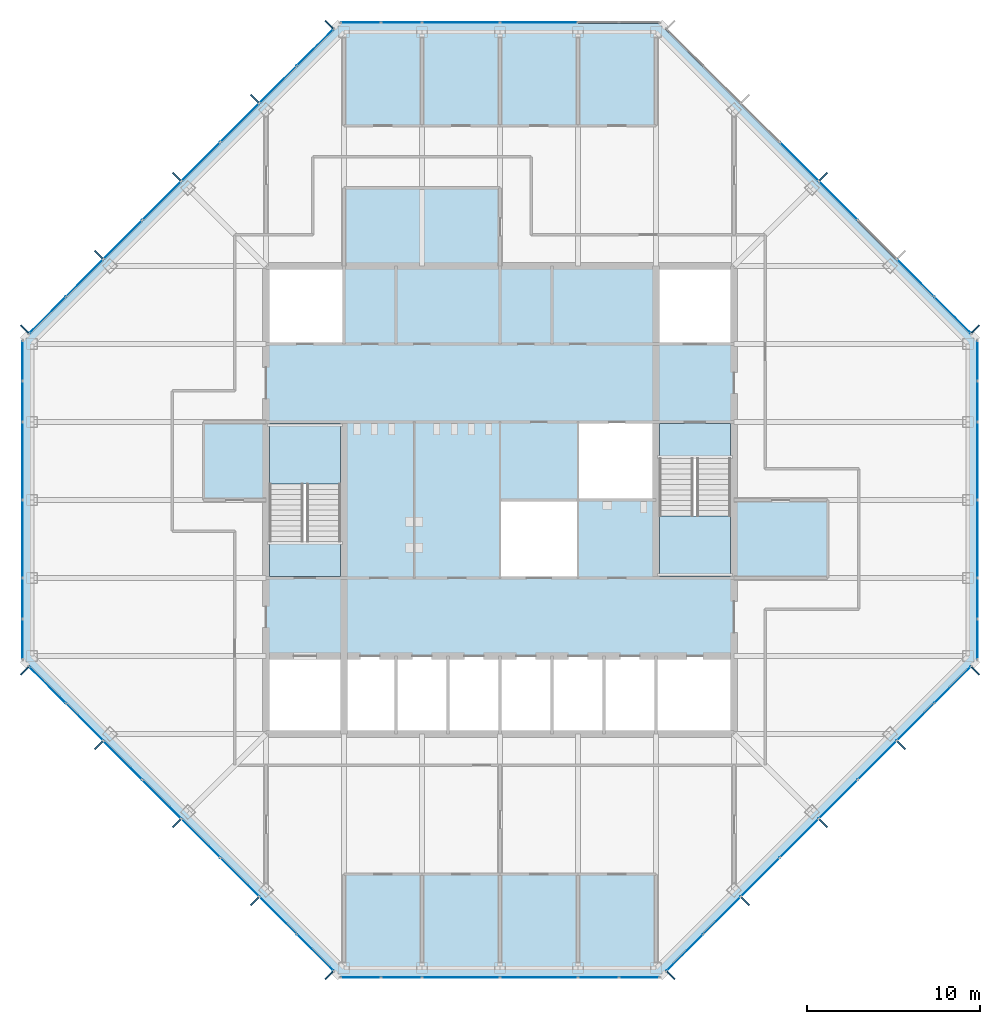
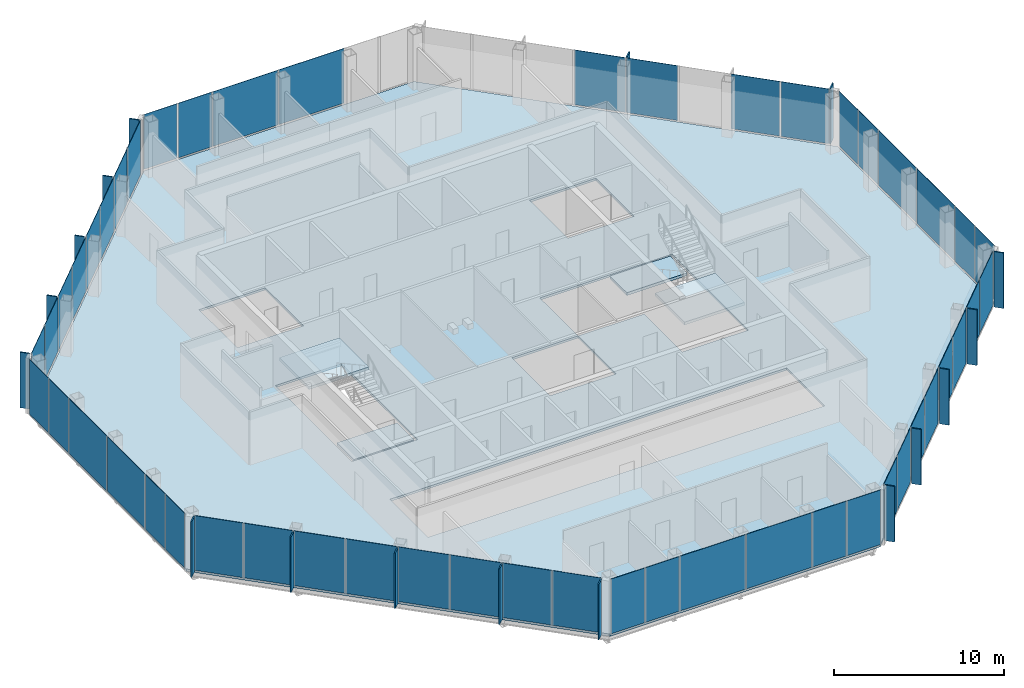
# One storey, part 8 of 14: 67 plates, 5 slabs, 10 elements without a shape of their own.
"""IFC4 building model written with IfcOpenShell, lengths in metres."""

from ifc_helpers import new_model, si_unit, direction, frame, origin, origin_2d, place, context, subcontext, project, spatial, polyline, rectangle, outline, extrude, material, layer, layer_set, type_object, element, aggregate, save


model = new_model("IFC4")

# Units and contexts
model_context = context("Model", 3, precision=1e-05, world=origin(), true_north=direction((0.0, 1.0)))
body_context = subcontext(model_context, "Body", "Model", "MODEL_VIEW")
ifc_project = project(units=[si_unit("LENGTHUNIT", "METRE"), si_unit("AREAUNIT", "SQUARE_METRE"), si_unit("VOLUMEUNIT", "CUBIC_METRE"), si_unit("PLANEANGLEUNIT", "RADIAN"), si_unit("MASSUNIT", "GRAM", prefix="KILO")], contexts=[model_context])

# Site, building, storey
site_placement = place(None, origin())
site = spatial("IfcSite", under=ifc_project, at=site_placement, CompositionType="ELEMENT")
building_placement = place(site_placement, origin())
building = spatial("IfcBuilding", under=site, at=building_placement, Name="Corais Broadcast Tower", CompositionType="ELEMENT")
storey_placement = place(building_placement, frame((0.0, 0.0, 250.60009765625)))
storey = spatial("IfcBuildingStorey", under=building, at=storey_placement, Name="L58", CompositionType="ELEMENT", Elevation=250.60009765625)

# Slab
ifc_material_1 = material(Name="Concrete C30/37", Category="concrete")
ifc_layer_1 = layer(ifc_material_1, 0.159912109375)
ifc_layer_set_1 = layer_set([ifc_layer_1], Name="Concrete C30/37")
slab_type_1 = type_object("IfcSlabType", Name="Composite floor slab 160", PredefinedType="FLOOR", material=ifc_layer_set_1)
slab_1_placement = place(storey_placement, frame((0.0, 0.0, -0.16015625)))
element("IfcSlab", 1, at=slab_1_placement, inside=storey, type_object=slab_type_1, Name="S160 floor slab L58", PredefinedType="FLOOR", context=body_context, shape_type="SweptSolid", body=[
    extrude(outline(polyline([(17.80126953125, -0.47998046875), (-0.47998046875, 17.80126953125), (-0.47998046875, 36.19873046875), (17.80126953125, 54.47998046875), (36.19873046875, 54.47998046875), (54.47998046875, 36.19873046875), (54.47998046875, 17.80126953125), (36.19873046875, -0.47998046875), (17.80126953125, -0.47998046875)]), holes=[polyline([(13.5, 18.0), (40.5, 18.0), (40.5, 13.5), (13.5, 13.5), (13.5, 18.0)]), polyline([(18.0, 22.5), (13.5, 22.5), (13.5, 31.5), (18.0, 31.5), (18.0, 22.5)]), polyline([(18.0, 36.0), (13.5, 36.0), (13.5, 40.5), (18.0, 40.5), (18.0, 36.0)]), polyline([(31.5, 22.5), (27.0, 22.5), (27.0, 27.0), (31.4951171875, 27.0), (31.4951171875, 27.0048828125), (31.5, 27.0048828125), (31.5, 31.5), (40.5, 31.5), (40.5, 22.5), (36.0, 22.5), (36.0, 27.0), (31.5048828125, 27.0), (31.5048828125, 26.9951171875), (31.5, 26.9951171875), (31.5, 22.5)]), polyline([(40.5, 36.0), (36.0, 36.0), (36.0, 40.5), (40.5, 40.5), (40.5, 36.0)])]), origin(), (0.0, 0.0, 1.0), 0.16015625),
])

# Curtain wall, plates
ifc_material_2 = material(Name="Aluminium and glass", Category="aluminium")
curtain_wall_type = type_object("IfcCurtainWallType", Name="Unitised fritted curtain wall CW3", PredefinedType="NOTDEFINED", material=ifc_material_2)
curtain_wall_1_placement = place(storey_placement, origin())
curtain_wall_1 = element("IfcCurtainWall", 2, at=curtain_wall_1_placement, inside=storey, type_object=curtain_wall_type, Name="CW3 curtain wall L58 1", PredefinedType="NOTDEFINED")
ifc_material_3 = material(Name="Ceramic-fritted laminated glass", Category="glass")
ifc_layer_2 = layer(ifc_material_3, 0.02587890625)
ifc_layer_set_2 = layer_set([ifc_layer_2], Name="Ceramic-fritted laminated glass")
plate_type_1 = type_object("IfcPlateType", Name="Fritted glass panel CW3", PredefinedType="CURTAIN_PANEL", material=ifc_layer_set_2)
plate_1_placement = place(storey_placement, frame((16.330322265625, 0.891845703125, 0.06494140625), z_axis=(0.0, 0.0, 1.0), x_axis=(-0.707106781187, 0.707106781187, 0.0)))
plate_1 = element("IfcPlate", 3, at=plate_1_placement, type_object=plate_type_1, Name="CW3 panel 1", PredefinedType="CURTAIN_PANEL", context=body_context, shape_type="SweptSolid", body=[
    extrude(rectangle(XDim=2.9482421875, YDim=0.02587890625, at=origin_2d()), origin(), (0.0, 0.0, 1.0), 3.93505859375),
])
plate_2_placement = place(storey_placement, frame((11.986083984375, 5.236083984375, 0.06494140625), z_axis=(0.0, 0.0, 1.0), x_axis=(-0.707106781187, 0.707106781187, 0.0)))
plate_2 = element("IfcPlate", 4, at=plate_2_placement, type_object=plate_type_1, Name="CW3 panel 3", PredefinedType="CURTAIN_PANEL", context=body_context, shape_type="SweptSolid", body=[
    extrude(rectangle(XDim=3.116943359375, YDim=0.02587890625, at=origin_2d()), origin(), (0.0, 0.0, 1.0), 3.93505859375),
])
plate_3_placement = place(storey_placement, frame((7.486083984375, 9.736083984375, 0.06494140625), z_axis=(0.0, 0.0, 1.0), x_axis=(-0.707106781187, 0.707106781187, 0.0)))
plate_3 = element("IfcPlate", 5, at=plate_3_placement, type_object=plate_type_1, Name="CW3 panel 5", PredefinedType="CURTAIN_PANEL", context=body_context, shape_type="SweptSolid", body=[
    extrude(rectangle(XDim=3.116943359375, YDim=0.02587890625, at=origin_2d()), origin(), (0.0, 0.0, 1.0), 3.93505859375),
])
plate_4_placement = place(storey_placement, frame((3.0341796875, 14.18798828125, 0.06494140625), z_axis=(0.0, 0.0, 1.0), x_axis=(-0.707106781187, 0.707106781187, 0.0)))
plate_4 = element("IfcPlate", 6, at=plate_4_placement, type_object=plate_type_1, Name="CW3 panel 7", PredefinedType="CURTAIN_PANEL", context=body_context, shape_type="SweptSolid", body=[
    extrude(rectangle(XDim=2.98095703125, YDim=0.02587890625, at=origin_2d()), origin(), (0.0, 0.0, 1.0), 3.93505859375),
])

curtain_wall_2_placement = place(storey_placement, origin())
curtain_wall_2 = element("IfcCurtainWall", 7, at=curtain_wall_2_placement, inside=storey, type_object=curtain_wall_type, Name="CW3 curtain wall L58 2", PredefinedType="NOTDEFINED")
plate_5_placement = place(storey_placement, frame((-0.550048828125, 18.970458984375, 0.06494140625), z_axis=(0.0, 0.0, 1.0), x_axis=(0.0, 1.0, 0.0)))
plate_5 = element("IfcPlate", 8, at=plate_5_placement, type_object=plate_type_1, Name="CW3 panel 1", PredefinedType="CURTAIN_PANEL", context=body_context, shape_type="SweptSolid", body=[
    extrude(rectangle(XDim=2.266357421875, YDim=0.02587890625, at=origin_2d()), origin(), (0.0, 0.0, 1.0), 3.93505859375),
])
plate_6_placement = place(storey_placement, frame((-0.550048828125, 24.75, 0.06494140625), z_axis=(0.0, 0.0, 1.0), x_axis=(0.0, 1.0, 0.0)))
plate_6 = element("IfcPlate", 9, at=plate_6_placement, type_object=plate_type_1, Name="CW3 panel 3", PredefinedType="CURTAIN_PANEL", context=body_context, shape_type="SweptSolid", body=[
    extrude(rectangle(XDim=4.43505859375, YDim=0.02587890625, at=origin_2d()), origin(), (0.0, 0.0, 1.0), 3.93505859375),
])
plate_7_placement = place(storey_placement, frame((-0.550048828125, 32.681884765625, 0.06494140625), z_axis=(0.0, 0.0, 1.0), x_axis=(0.0, 1.0, 0.0)))
plate_7 = element("IfcPlate", 10, at=plate_7_placement, type_object=plate_type_1, Name="CW3 panel 5", PredefinedType="CURTAIN_PANEL", context=body_context, shape_type="SweptSolid", body=[
    extrude(rectangle(XDim=2.298828125, YDim=0.02587890625, at=origin_2d()), origin(), (0.0, 0.0, 1.0), 3.93505859375),
])

curtain_wall_3_placement = place(storey_placement, origin())
curtain_wall_3 = element("IfcCurtainWall", 11, at=curtain_wall_3_placement, inside=storey, type_object=curtain_wall_type, Name="CW3 curtain wall L58 3", PredefinedType="NOTDEFINED")
plate_8_placement = place(storey_placement, frame((0.891845703125, 37.669677734375, 0.06494140625), z_axis=(0.0, 0.0, 1.0), x_axis=(0.707106781187, 0.707106781187, 0.0)))
plate_8 = element("IfcPlate", 12, at=plate_8_placement, type_object=plate_type_1, Name="CW3 panel 1", PredefinedType="CURTAIN_PANEL", context=body_context, shape_type="SweptSolid", body=[
    extrude(rectangle(XDim=2.9482421875, YDim=0.02587890625, at=origin_2d()), origin(), (0.0, 0.0, 1.0), 3.93505859375),
])
plate_9_placement = place(storey_placement, frame((5.236083984375, 42.013916015625, 0.06494140625), z_axis=(0.0, 0.0, 1.0), x_axis=(0.707106781187, 0.707106781187, 0.0)))
plate_9 = element("IfcPlate", 13, at=plate_9_placement, type_object=plate_type_1, Name="CW3 panel 3", PredefinedType="CURTAIN_PANEL", context=body_context, shape_type="SweptSolid", body=[
    extrude(rectangle(XDim=3.116943359375, YDim=0.02587890625, at=origin_2d()), origin(), (0.0, 0.0, 1.0), 3.93505859375),
])
plate_10_placement = place(storey_placement, frame((9.736083984375, 46.513916015625, 0.06494140625), z_axis=(0.0, 0.0, 1.0), x_axis=(0.707106781187, 0.707106781187, 0.0)))
plate_10 = element("IfcPlate", 14, at=plate_10_placement, type_object=plate_type_1, Name="CW3 panel 5", PredefinedType="CURTAIN_PANEL", context=body_context, shape_type="SweptSolid", body=[
    extrude(rectangle(XDim=3.116943359375, YDim=0.02587890625, at=origin_2d()), origin(), (0.0, 0.0, 1.0), 3.93505859375),
])
plate_11_placement = place(storey_placement, frame((14.18798828125, 50.9658203125, 0.06494140625), z_axis=(0.0, 0.0, 1.0), x_axis=(0.707106781187, 0.707106781187, 0.0)))
plate_11 = element("IfcPlate", 15, at=plate_11_placement, type_object=plate_type_1, Name="CW3 panel 7", PredefinedType="CURTAIN_PANEL", context=body_context, shape_type="SweptSolid", body=[
    extrude(rectangle(XDim=2.98095703125, YDim=0.02587890625, at=origin_2d()), origin(), (0.0, 0.0, 1.0), 3.93505859375),
])

curtain_wall_4_placement = place(storey_placement, origin())
curtain_wall_4 = element("IfcCurtainWall", 16, at=curtain_wall_4_placement, inside=storey, type_object=curtain_wall_type, Name="CW3 curtain wall L58 4", PredefinedType="NOTDEFINED")
plate_12_placement = place(storey_placement, frame((18.970458984375, 54.550048828125, 0.06494140625), z_axis=(0.0, 0.0, 1.0), x_axis=(1.0, 0.0, 0.0)))
plate_12 = element("IfcPlate", 17, at=plate_12_placement, type_object=plate_type_1, Name="CW3 panel 1", PredefinedType="CURTAIN_PANEL", context=body_context, shape_type="SweptSolid", body=[
    extrude(rectangle(XDim=2.266357421875, YDim=0.02587890625, at=origin_2d()), origin(), (0.0, 0.0, 1.0), 3.93505859375),
])
plate_13_placement = place(storey_placement, frame((24.75, 54.550048828125, 0.06494140625), z_axis=(0.0, 0.0, 1.0), x_axis=(1.0, 0.0, 0.0)))
plate_13 = element("IfcPlate", 18, at=plate_13_placement, type_object=plate_type_1, Name="CW3 panel 3", PredefinedType="CURTAIN_PANEL", context=body_context, shape_type="SweptSolid", body=[
    extrude(rectangle(XDim=4.43505859375, YDim=0.02587890625, at=origin_2d()), origin(), (0.0, 0.0, 1.0), 3.93505859375),
])

curtain_wall_5_placement = place(storey_placement, origin())
curtain_wall_5 = element("IfcCurtainWall", 19, at=curtain_wall_5_placement, inside=storey, type_object=curtain_wall_type, Name="CW3 curtain wall L58 5", PredefinedType="NOTDEFINED")
plate_14_placement = place(storey_placement, frame((46.513916015625, 44.263916015625, 0.06494140625), z_axis=(0.0, 0.0, 1.0), x_axis=(0.707106781187, -0.707106781187, 0.0)))
plate_14 = element("IfcPlate", 20, at=plate_14_placement, type_object=plate_type_1, Name="CW3 panel 5", PredefinedType="CURTAIN_PANEL", context=body_context, shape_type="SweptSolid", body=[
    extrude(rectangle(XDim=3.116943359375, YDim=0.02587890625, at=origin_2d()), origin(), (0.0, 0.0, 1.0), 3.93505859375),
])
plate_15_placement = place(storey_placement, frame((50.9658203125, 39.81201171875, 0.06494140625), z_axis=(0.0, 0.0, 1.0), x_axis=(0.707106781187, -0.707106781187, 0.0)))
plate_15 = element("IfcPlate", 21, at=plate_15_placement, type_object=plate_type_1, Name="CW3 panel 7", PredefinedType="CURTAIN_PANEL", context=body_context, shape_type="SweptSolid", body=[
    extrude(rectangle(XDim=2.98095703125, YDim=0.02587890625, at=origin_2d()), origin(), (0.0, 0.0, 1.0), 3.93505859375),
])

curtain_wall_6_placement = place(storey_placement, origin())
curtain_wall_6 = element("IfcCurtainWall", 22, at=curtain_wall_6_placement, inside=storey, type_object=curtain_wall_type, Name="CW3 curtain wall L58 6", PredefinedType="NOTDEFINED")
plate_16_placement = place(storey_placement, frame((54.550048828125, 35.029541015625, 0.06494140625), z_axis=(0.0, 0.0, 1.0), x_axis=(0.0, -1.0, 0.0)))
plate_16 = element("IfcPlate", 23, at=plate_16_placement, type_object=plate_type_1, Name="CW3 panel 1", PredefinedType="CURTAIN_PANEL", context=body_context, shape_type="SweptSolid", body=[
    extrude(rectangle(XDim=2.266357421875, YDim=0.02587890625, at=origin_2d()), origin(), (0.0, 0.0, 1.0), 3.93505859375),
])
plate_17_placement = place(storey_placement, frame((54.550048828125, 29.25, 0.06494140625), z_axis=(0.0, 0.0, 1.0), x_axis=(0.0, -1.0, 0.0)))
plate_17 = element("IfcPlate", 24, at=plate_17_placement, type_object=plate_type_1, Name="CW3 panel 3", PredefinedType="CURTAIN_PANEL", context=body_context, shape_type="SweptSolid", body=[
    extrude(rectangle(XDim=4.43505859375, YDim=0.02587890625, at=origin_2d()), origin(), (0.0, 0.0, 1.0), 3.93505859375),
])
plate_18_placement = place(storey_placement, frame((54.550048828125, 21.318115234375, 0.06494140625), z_axis=(0.0, 0.0, 1.0), x_axis=(0.0, -1.0, 0.0)))
plate_18 = element("IfcPlate", 25, at=plate_18_placement, type_object=plate_type_1, Name="CW3 panel 5", PredefinedType="CURTAIN_PANEL", context=body_context, shape_type="SweptSolid", body=[
    extrude(rectangle(XDim=2.298828125, YDim=0.02587890625, at=origin_2d()), origin(), (0.0, 0.0, 1.0), 3.93505859375),
])

curtain_wall_7_placement = place(storey_placement, origin())
curtain_wall_7 = element("IfcCurtainWall", 26, at=curtain_wall_7_placement, inside=storey, type_object=curtain_wall_type, Name="CW3 curtain wall L58 7", PredefinedType="NOTDEFINED")
plate_19_placement = place(storey_placement, frame((53.108154296875, 16.330322265625, 0.06494140625), z_axis=(0.0, 0.0, 1.0), x_axis=(-0.707106781187, -0.707106781187, 0.0)))
plate_19 = element("IfcPlate", 27, at=plate_19_placement, type_object=plate_type_1, Name="CW3 panel 1", PredefinedType="CURTAIN_PANEL", context=body_context, shape_type="SweptSolid", body=[
    extrude(rectangle(XDim=2.9482421875, YDim=0.02587890625, at=origin_2d()), origin(), (0.0, 0.0, 1.0), 3.93505859375),
])
plate_20_placement = place(storey_placement, frame((48.763916015625, 11.986083984375, 0.06494140625), z_axis=(0.0, 0.0, 1.0), x_axis=(-0.707106781187, -0.707106781187, 0.0)))
plate_20 = element("IfcPlate", 28, at=plate_20_placement, type_object=plate_type_1, Name="CW3 panel 3", PredefinedType="CURTAIN_PANEL", context=body_context, shape_type="SweptSolid", body=[
    extrude(rectangle(XDim=3.116943359375, YDim=0.02587890625, at=origin_2d()), origin(), (0.0, 0.0, 1.0), 3.93505859375),
])
plate_21_placement = place(storey_placement, frame((44.263916015625, 7.486083984375, 0.06494140625), z_axis=(0.0, 0.0, 1.0), x_axis=(-0.707106781187, -0.707106781187, 0.0)))
plate_21 = element("IfcPlate", 29, at=plate_21_placement, type_object=plate_type_1, Name="CW3 panel 5", PredefinedType="CURTAIN_PANEL", context=body_context, shape_type="SweptSolid", body=[
    extrude(rectangle(XDim=3.116943359375, YDim=0.02587890625, at=origin_2d()), origin(), (0.0, 0.0, 1.0), 3.93505859375),
])
plate_22_placement = place(storey_placement, frame((39.81201171875, 3.0341796875, 0.06494140625), z_axis=(0.0, 0.0, 1.0), x_axis=(-0.707106781187, -0.707106781187, 0.0)))
plate_22 = element("IfcPlate", 30, at=plate_22_placement, type_object=plate_type_1, Name="CW3 panel 7", PredefinedType="CURTAIN_PANEL", context=body_context, shape_type="SweptSolid", body=[
    extrude(rectangle(XDim=2.98095703125, YDim=0.02587890625, at=origin_2d()), origin(), (0.0, 0.0, 1.0), 3.93505859375),
])

curtain_wall_8_placement = place(storey_placement, origin())
curtain_wall_8 = element("IfcCurtainWall", 31, at=curtain_wall_8_placement, inside=storey, type_object=curtain_wall_type, Name="CW3 curtain wall L58 8", PredefinedType="NOTDEFINED")
plate_23_placement = place(storey_placement, frame((35.029541015625, -0.550048828125, 0.06494140625), z_axis=(0.0, 0.0, 1.0), x_axis=(-1.0, 0.0, 0.0)))
plate_23 = element("IfcPlate", 32, at=plate_23_placement, type_object=plate_type_1, Name="CW3 panel 1", PredefinedType="CURTAIN_PANEL", context=body_context, shape_type="SweptSolid", body=[
    extrude(rectangle(XDim=2.266357421875, YDim=0.02587890625, at=origin_2d()), origin(), (0.0, 0.0, 1.0), 3.93505859375),
])
plate_24_placement = place(storey_placement, frame((29.25, -0.550048828125, 0.06494140625), z_axis=(0.0, 0.0, 1.0), x_axis=(-1.0, 0.0, 0.0)))
plate_24 = element("IfcPlate", 33, at=plate_24_placement, type_object=plate_type_1, Name="CW3 panel 3", PredefinedType="CURTAIN_PANEL", context=body_context, shape_type="SweptSolid", body=[
    extrude(rectangle(XDim=4.43505859375, YDim=0.02587890625, at=origin_2d()), origin(), (0.0, 0.0, 1.0), 3.93505859375),
])
plate_25_placement = place(storey_placement, frame((21.318115234375, -0.550048828125, 0.06494140625), z_axis=(0.0, 0.0, 1.0), x_axis=(-1.0, 0.0, 0.0)))
plate_25 = element("IfcPlate", 34, at=plate_25_placement, type_object=plate_type_1, Name="CW3 panel 5", PredefinedType="CURTAIN_PANEL", context=body_context, shape_type="SweptSolid", body=[
    extrude(rectangle(XDim=2.298828125, YDim=0.02587890625, at=origin_2d()), origin(), (0.0, 0.0, 1.0), 3.93505859375),
])

# Plate
ifc_material_4 = material(Name="Clear laminated glass", Category="glass")
ifc_layer_3 = layer(ifc_material_4, 0.030029296875)
ifc_layer_set_3 = layer_set([ifc_layer_3], Name="Clear laminated glass")
plate_type_2 = type_object("IfcPlateType", Name="Operable glass panel CW3", PredefinedType="CURTAIN_PANEL", material=ifc_layer_set_3)
plate_26_placement = place(storey_placement, frame((14.18798828125, 3.0341796875, 0.06494140625), z_axis=(0.0, 0.0, 1.0), x_axis=(-0.707106781187, 0.707106781187, 0.0)))
plate_26 = element("IfcPlate", 35, at=plate_26_placement, type_object=plate_type_2, Name="CW3 operable panel 2", PredefinedType="CURTAIN_PANEL", context=body_context, shape_type="SweptSolid", body=[
    extrude(rectangle(XDim=2.98095703125, YDim=0.030029296875, at=origin_2d()), origin(), (0.0, 0.0, 1.0), 3.93505859375),
])

plate_27_placement = place(storey_placement, frame((9.736083984375, 7.486083984375, 0.06494140625), z_axis=(0.0, 0.0, 1.0), x_axis=(-0.707106781187, 0.707106781187, 0.0)))
plate_27 = element("IfcPlate", 36, at=plate_27_placement, type_object=plate_type_2, Name="CW3 operable panel 4", PredefinedType="CURTAIN_PANEL", context=body_context, shape_type="SweptSolid", body=[
    extrude(rectangle(XDim=3.116943359375, YDim=0.030029296875, at=origin_2d()), origin(), (0.0, 0.0, 1.0), 3.93505859375),
])

plate_28_placement = place(storey_placement, frame((5.236083984375, 11.986083984375, 0.06494140625), z_axis=(0.0, 0.0, 1.0), x_axis=(-0.707106781187, 0.707106781187, 0.0)))
plate_28 = element("IfcPlate", 37, at=plate_28_placement, type_object=plate_type_2, Name="CW3 operable panel 6", PredefinedType="CURTAIN_PANEL", context=body_context, shape_type="SweptSolid", body=[
    extrude(rectangle(XDim=3.116943359375, YDim=0.030029296875, at=origin_2d()), origin(), (0.0, 0.0, 1.0), 3.93505859375),
])

plate_29_placement = place(storey_placement, frame((0.89208984375, 16.330322265625, 0.06494140625), z_axis=(0.0, 0.0, 1.0), x_axis=(-0.707106781187, 0.707106781187, 0.0)))
plate_29 = element("IfcPlate", 38, at=plate_29_placement, type_object=plate_type_2, Name="CW3 operable panel 8", PredefinedType="CURTAIN_PANEL", context=body_context, shape_type="SweptSolid", body=[
    extrude(rectangle(XDim=2.948486328125, YDim=0.030029296875, at=origin_2d()), origin(), (0.0, 0.0, 1.0), 3.93505859375),
])

aggregate(curtain_wall_1, [plate_1, plate_26, plate_2, plate_27, plate_3, plate_28, plate_4, plate_29])

plate_30_placement = place(storey_placement, frame((-0.550048828125, 21.318115234375, 0.06494140625), z_axis=(0.0, 0.0, 1.0), x_axis=(0.0, 1.0, 0.0)))
plate_30 = element("IfcPlate", 39, at=plate_30_placement, type_object=plate_type_2, Name="CW3 operable panel 2", PredefinedType="CURTAIN_PANEL", context=body_context, shape_type="SweptSolid", body=[
    extrude(rectangle(XDim=2.298828125, YDim=0.030029296875, at=origin_2d()), origin(), (0.0, 0.0, 1.0), 3.93505859375),
])

plate_31_placement = place(storey_placement, frame((-0.550048828125, 29.25, 0.06494140625), z_axis=(0.0, 0.0, 1.0), x_axis=(0.0, 1.0, 0.0)))
plate_31 = element("IfcPlate", 40, at=plate_31_placement, type_object=plate_type_2, Name="CW3 operable panel 4", PredefinedType="CURTAIN_PANEL", context=body_context, shape_type="SweptSolid", body=[
    extrude(rectangle(XDim=4.43505859375, YDim=0.030029296875, at=origin_2d()), origin(), (0.0, 0.0, 1.0), 3.93505859375),
])

plate_32_placement = place(storey_placement, frame((-0.550048828125, 35.029541015625, 0.06494140625), z_axis=(0.0, 0.0, 1.0), x_axis=(0.0, 1.0, 0.0)))
plate_32 = element("IfcPlate", 41, at=plate_32_placement, type_object=plate_type_2, Name="CW3 operable panel 6", PredefinedType="CURTAIN_PANEL", context=body_context, shape_type="SweptSolid", body=[
    extrude(rectangle(XDim=2.266357421875, YDim=0.030029296875, at=origin_2d()), origin(), (0.0, 0.0, 1.0), 3.93505859375),
])

aggregate(curtain_wall_2, [plate_5, plate_30, plate_6, plate_31, plate_7, plate_32])

plate_33_placement = place(storey_placement, frame((3.0341796875, 39.81201171875, 0.06494140625), z_axis=(0.0, 0.0, 1.0), x_axis=(0.707106781187, 0.707106781187, 0.0)))
plate_33 = element("IfcPlate", 42, at=plate_33_placement, type_object=plate_type_2, Name="CW3 operable panel 2", PredefinedType="CURTAIN_PANEL", context=body_context, shape_type="SweptSolid", body=[
    extrude(rectangle(XDim=2.98095703125, YDim=0.030029296875, at=origin_2d()), origin(), (0.0, 0.0, 1.0), 3.93505859375),
])

plate_34_placement = place(storey_placement, frame((7.486083984375, 44.263916015625, 0.06494140625), z_axis=(0.0, 0.0, 1.0), x_axis=(0.707106781187, 0.707106781187, 0.0)))
plate_34 = element("IfcPlate", 43, at=plate_34_placement, type_object=plate_type_2, Name="CW3 operable panel 4", PredefinedType="CURTAIN_PANEL", context=body_context, shape_type="SweptSolid", body=[
    extrude(rectangle(XDim=3.116943359375, YDim=0.030029296875, at=origin_2d()), origin(), (0.0, 0.0, 1.0), 3.93505859375),
])

plate_35_placement = place(storey_placement, frame((11.986083984375, 48.763916015625, 0.06494140625), z_axis=(0.0, 0.0, 1.0), x_axis=(0.707106781187, 0.707106781187, 0.0)))
plate_35 = element("IfcPlate", 44, at=plate_35_placement, type_object=plate_type_2, Name="CW3 operable panel 6", PredefinedType="CURTAIN_PANEL", context=body_context, shape_type="SweptSolid", body=[
    extrude(rectangle(XDim=3.116943359375, YDim=0.030029296875, at=origin_2d()), origin(), (0.0, 0.0, 1.0), 3.93505859375),
])

plate_36_placement = place(storey_placement, frame((16.330322265625, 53.10791015625, 0.06494140625), z_axis=(0.0, 0.0, 1.0), x_axis=(0.707106781187, 0.707106781187, 0.0)))
plate_36 = element("IfcPlate", 45, at=plate_36_placement, type_object=plate_type_2, Name="CW3 operable panel 8", PredefinedType="CURTAIN_PANEL", context=body_context, shape_type="SweptSolid", body=[
    extrude(rectangle(XDim=2.948486328125, YDim=0.030029296875, at=origin_2d()), origin(), (0.0, 0.0, 1.0), 3.93505859375),
])

aggregate(curtain_wall_3, [plate_8, plate_33, plate_9, plate_34, plate_10, plate_35, plate_11, plate_36])

plate_37_placement = place(storey_placement, frame((21.318115234375, 54.550048828125, 0.06494140625), z_axis=(0.0, 0.0, 1.0), x_axis=(1.0, 0.0, 0.0)))
plate_37 = element("IfcPlate", 46, at=plate_37_placement, type_object=plate_type_2, Name="CW3 operable panel 2", PredefinedType="CURTAIN_PANEL", context=body_context, shape_type="SweptSolid", body=[
    extrude(rectangle(XDim=2.298828125, YDim=0.030029296875, at=origin_2d()), origin(), (0.0, 0.0, 1.0), 3.93505859375),
])

plate_38_placement = place(storey_placement, frame((29.25, 54.550048828125, 0.06494140625), z_axis=(0.0, 0.0, 1.0), x_axis=(1.0, 0.0, 0.0)))
plate_38 = element("IfcPlate", 47, at=plate_38_placement, type_object=plate_type_2, Name="CW3 operable panel 4", PredefinedType="CURTAIN_PANEL", context=body_context, shape_type="SweptSolid", body=[
    extrude(rectangle(XDim=4.43505859375, YDim=0.030029296875, at=origin_2d()), origin(), (0.0, 0.0, 1.0), 3.93505859375),
])

aggregate(curtain_wall_4, [plate_12, plate_37, plate_13, plate_38])

plate_39_placement = place(storey_placement, frame((44.263916015625, 46.513916015625, 0.06494140625), z_axis=(0.0, 0.0, 1.0), x_axis=(0.707106781187, -0.707106781187, 0.0)))
plate_39 = element("IfcPlate", 48, at=plate_39_placement, type_object=plate_type_2, Name="CW3 operable panel 4", PredefinedType="CURTAIN_PANEL", context=body_context, shape_type="SweptSolid", body=[
    extrude(rectangle(XDim=3.116943359375, YDim=0.030029296875, at=origin_2d()), origin(), (0.0, 0.0, 1.0), 3.93505859375),
])

plate_40_placement = place(storey_placement, frame((53.10791015625, 37.669677734375, 0.06494140625), z_axis=(0.0, 0.0, 1.0), x_axis=(0.707106781187, -0.707106781187, 0.0)))
plate_40 = element("IfcPlate", 49, at=plate_40_placement, type_object=plate_type_2, Name="CW3 operable panel 8", PredefinedType="CURTAIN_PANEL", context=body_context, shape_type="SweptSolid", body=[
    extrude(rectangle(XDim=2.948486328125, YDim=0.030029296875, at=origin_2d()), origin(), (0.0, 0.0, 1.0), 3.93505859375),
])

aggregate(curtain_wall_5, [plate_39, plate_14, plate_15, plate_40])

plate_41_placement = place(storey_placement, frame((54.550048828125, 32.681884765625, 0.06494140625), z_axis=(0.0, 0.0, 1.0), x_axis=(0.0, -1.0, 0.0)))
plate_41 = element("IfcPlate", 50, at=plate_41_placement, type_object=plate_type_2, Name="CW3 operable panel 2", PredefinedType="CURTAIN_PANEL", context=body_context, shape_type="SweptSolid", body=[
    extrude(rectangle(XDim=2.298828125, YDim=0.030029296875, at=origin_2d()), origin(), (0.0, 0.0, 1.0), 3.93505859375),
])

plate_42_placement = place(storey_placement, frame((54.550048828125, 24.75, 0.06494140625), z_axis=(0.0, 0.0, 1.0), x_axis=(0.0, -1.0, 0.0)))
plate_42 = element("IfcPlate", 51, at=plate_42_placement, type_object=plate_type_2, Name="CW3 operable panel 4", PredefinedType="CURTAIN_PANEL", context=body_context, shape_type="SweptSolid", body=[
    extrude(rectangle(XDim=4.43505859375, YDim=0.030029296875, at=origin_2d()), origin(), (0.0, 0.0, 1.0), 3.93505859375),
])

plate_43_placement = place(storey_placement, frame((54.550048828125, 18.970458984375, 0.06494140625), z_axis=(0.0, 0.0, 1.0), x_axis=(0.0, -1.0, 0.0)))
plate_43 = element("IfcPlate", 52, at=plate_43_placement, type_object=plate_type_2, Name="CW3 operable panel 6", PredefinedType="CURTAIN_PANEL", context=body_context, shape_type="SweptSolid", body=[
    extrude(rectangle(XDim=2.266357421875, YDim=0.030029296875, at=origin_2d()), origin(), (0.0, 0.0, 1.0), 3.93505859375),
])

aggregate(curtain_wall_6, [plate_16, plate_41, plate_17, plate_42, plate_18, plate_43])

plate_44_placement = place(storey_placement, frame((50.9658203125, 14.18798828125, 0.06494140625), z_axis=(0.0, 0.0, 1.0), x_axis=(-0.707106781187, -0.707106781187, 0.0)))
plate_44 = element("IfcPlate", 53, at=plate_44_placement, type_object=plate_type_2, Name="CW3 operable panel 2", PredefinedType="CURTAIN_PANEL", context=body_context, shape_type="SweptSolid", body=[
    extrude(rectangle(XDim=2.98095703125, YDim=0.030029296875, at=origin_2d()), origin(), (0.0, 0.0, 1.0), 3.93505859375),
])

plate_45_placement = place(storey_placement, frame((46.513916015625, 9.736083984375, 0.06494140625), z_axis=(0.0, 0.0, 1.0), x_axis=(-0.707106781187, -0.707106781187, 0.0)))
plate_45 = element("IfcPlate", 54, at=plate_45_placement, type_object=plate_type_2, Name="CW3 operable panel 4", PredefinedType="CURTAIN_PANEL", context=body_context, shape_type="SweptSolid", body=[
    extrude(rectangle(XDim=3.116943359375, YDim=0.030029296875, at=origin_2d()), origin(), (0.0, 0.0, 1.0), 3.93505859375),
])

plate_46_placement = place(storey_placement, frame((42.013916015625, 5.236083984375, 0.06494140625), z_axis=(0.0, 0.0, 1.0), x_axis=(-0.707106781187, -0.707106781187, 0.0)))
plate_46 = element("IfcPlate", 55, at=plate_46_placement, type_object=plate_type_2, Name="CW3 operable panel 6", PredefinedType="CURTAIN_PANEL", context=body_context, shape_type="SweptSolid", body=[
    extrude(rectangle(XDim=3.116943359375, YDim=0.030029296875, at=origin_2d()), origin(), (0.0, 0.0, 1.0), 3.93505859375),
])

plate_47_placement = place(storey_placement, frame((37.669677734375, 0.89208984375, 0.06494140625), z_axis=(0.0, 0.0, 1.0), x_axis=(-0.707106781187, -0.707106781187, 0.0)))
plate_47 = element("IfcPlate", 56, at=plate_47_placement, type_object=plate_type_2, Name="CW3 operable panel 8", PredefinedType="CURTAIN_PANEL", context=body_context, shape_type="SweptSolid", body=[
    extrude(rectangle(XDim=2.948486328125, YDim=0.030029296875, at=origin_2d()), origin(), (0.0, 0.0, 1.0), 3.93505859375),
])

aggregate(curtain_wall_7, [plate_19, plate_44, plate_20, plate_45, plate_21, plate_46, plate_22, plate_47])

plate_48_placement = place(storey_placement, frame((32.681884765625, -0.550048828125, 0.06494140625), z_axis=(0.0, 0.0, 1.0), x_axis=(-1.0, 0.0, 0.0)))
plate_48 = element("IfcPlate", 57, at=plate_48_placement, type_object=plate_type_2, Name="CW3 operable panel 2", PredefinedType="CURTAIN_PANEL", context=body_context, shape_type="SweptSolid", body=[
    extrude(rectangle(XDim=2.298828125, YDim=0.030029296875, at=origin_2d()), origin(), (0.0, 0.0, 1.0), 3.93505859375),
])

plate_49_placement = place(storey_placement, frame((24.75, -0.550048828125, 0.06494140625), z_axis=(0.0, 0.0, 1.0), x_axis=(-1.0, 0.0, 0.0)))
plate_49 = element("IfcPlate", 58, at=plate_49_placement, type_object=plate_type_2, Name="CW3 operable panel 4", PredefinedType="CURTAIN_PANEL", context=body_context, shape_type="SweptSolid", body=[
    extrude(rectangle(XDim=4.43505859375, YDim=0.030029296875, at=origin_2d()), origin(), (0.0, 0.0, 1.0), 3.93505859375),
])

plate_50_placement = place(storey_placement, frame((18.970458984375, -0.550048828125, 0.06494140625), z_axis=(0.0, 0.0, 1.0), x_axis=(-1.0, 0.0, 0.0)))
plate_50 = element("IfcPlate", 59, at=plate_50_placement, type_object=plate_type_2, Name="CW3 operable panel 6", PredefinedType="CURTAIN_PANEL", context=body_context, shape_type="SweptSolid", body=[
    extrude(rectangle(XDim=2.266357421875, YDim=0.030029296875, at=origin_2d()), origin(), (0.0, 0.0, 1.0), 3.93505859375),
])

aggregate(curtain_wall_8, [plate_23, plate_48, plate_24, plate_49, plate_25, plate_50])

# Stair, slabs
ifc_material_5 = material(Name="Concrete C30/37", Category="concrete")
stair_type = type_object("IfcStairType", Name="Half-turn stair 4000", PredefinedType="HALF_TURN_STAIR", material=ifc_material_5)
stair_1_placement = place(storey_placement, origin())
stair_1 = element("IfcStair", 60, at=stair_1_placement, inside=storey, type_object=stair_type, Name="Stair A L58", PredefinedType="HALF_TURN_STAIR")
ifc_material_6 = material(Name="Concrete C30/37", Category="concrete")
ifc_layer_4 = layer(ifc_material_6, 0.199951171875)
ifc_layer_set_4 = layer_set([ifc_layer_4], Name="Concrete C30/37")
slab_type_2 = type_object("IfcSlabType", Name="Stair landing 200", PredefinedType="LANDING", material=ifc_layer_set_4)
slab_2_placement = place(storey_placement, frame((0.0, 0.0, -0.2001953125)))
slab_2 = element("IfcSlab", 61, at=slab_2_placement, type_object=slab_type_2, Name="STA landing 1", PredefinedType="LANDING", context=body_context, shape_type="SweptSolid", body=[
    extrude(outline(polyline([(13.699951171875, 22.60009765625), (17.800048828125, 22.60009765625), (17.800048828125, 24.60009765625), (13.699951171875, 24.60009765625), (13.699951171875, 22.60009765625)])), origin(), (0.0, 0.0, 1.0), 0.2001953125),
])
slab_3_placement = place(storey_placement, frame((0.0, 0.0, 1.7998046875)))
slab_3 = element("IfcSlab", 62, at=slab_3_placement, type_object=slab_type_2, Name="STA landing 2", PredefinedType="LANDING", context=body_context, shape_type="SweptSolid", body=[
    extrude(outline(polyline([(13.699951171875, 27.922119140625), (17.800048828125, 27.922119140625), (17.800048828125, 31.39990234375), (13.699951171875, 31.39990234375), (13.699951171875, 27.922119140625)])), origin(), (0.0, 0.0, 1.0), 0.2001953125),
])
aggregate(stair_1, [slab_2, slab_3])

stair_2_placement = place(storey_placement, origin())
stair_2 = element("IfcStair", 63, at=stair_2_placement, inside=storey, type_object=stair_type, Name="Stair B L58", PredefinedType="HALF_TURN_STAIR")
slab_4_placement = place(storey_placement, frame((0.0, 0.0, -0.2001953125)))
slab_4 = element("IfcSlab", 64, at=slab_4_placement, type_object=slab_type_2, Name="STB landing 1", PredefinedType="LANDING", context=body_context, shape_type="SweptSolid", body=[
    extrude(outline(polyline([(36.199951171875, 29.39990234375), (40.300048828125, 29.39990234375), (40.300048828125, 31.39990234375), (36.199951171875, 31.39990234375), (36.199951171875, 29.39990234375)])), origin(), (0.0, 0.0, 1.0), 0.2001953125),
])
slab_5_placement = place(storey_placement, frame((0.0, 0.0, 1.7998046875)))
slab_5 = element("IfcSlab", 65, at=slab_5_placement, type_object=slab_type_2, Name="STB landing 2", PredefinedType="LANDING", context=body_context, shape_type="SweptSolid", body=[
    extrude(outline(polyline([(36.199951171875, 22.60009765625), (40.300048828125, 22.60009765625), (40.300048828125, 26.077880859375), (36.199951171875, 26.077880859375), (36.199951171875, 22.60009765625)])), origin(), (0.0, 0.0, 1.0), 0.2001953125),
])
aggregate(stair_2, [slab_4, slab_5])

# Plates
ifc_material_7 = material(Name="Granite stone cladding", Category="masonry")
ifc_layer_5 = layer(ifc_material_7, 0.080078125)
ifc_layer_set_5 = layer_set([ifc_layer_5], Name="Granite stone cladding")
plate_type_3 = type_object("IfcPlateType", Name="Stone screen fin 80x600", PredefinedType="USERDEFINED", material=ifc_layer_set_5)
for number, where, z_axis, x_axis, name in (
    (66, (17.129150390625, -0.43994140625, 0.0), (0.0, 0.0, 1.0), (-0.707106781187, 0.707106781187, 0.0), "SF1 stone screen fin L58"),
    (67, (12.844482421875, 3.844482421875, 0.0), (0.0, 0.0, 1.0), (-0.707106781187, 0.707106781187, 0.0), "SF1 stone screen fin L58"),
    (68, (8.344482421875, 8.344482421875, 0.0), (0.0, 0.0, 1.0), (-0.707106781187, 0.707106781187, 0.0), "SF1 stone screen fin L58"),
    (69, (3.844482421875, 12.844482421875, 0.0), (0.0, 0.0, 1.0), (-0.707106781187, 0.707106781187, 0.0), "SF1 stone screen fin L58"),
    (70, (-0.43994140625, 17.129150390625, 0.0), (0.0, 0.0, 1.0), (-0.707106781187, 0.707106781187, 0.0), "SF1 stone screen fin L58"),
    (71, (-0.43994140625, 36.870849609375, 0.0), (0.0, 0.0, 1.0), (0.707106781187, 0.707106781187, 0.0), "SF1 stone screen fin L58"),
    (72, (3.844482421875, 41.155517578125, 0.0), (0.0, 0.0, 1.0), (0.707106781187, 0.707106781187, 0.0), "SF1 stone screen fin L58"),
    (73, (8.344482421875, 45.655517578125, 0.0), (0.0, 0.0, 1.0), (0.707106781187, 0.707106781187, 0.0), "SF1 stone screen fin L58"),
    (74, (12.844482421875, 50.155517578125, 0.0), (0.0, 0.0, 1.0), (0.707106781187, 0.707106781187, 0.0), "SF1 stone screen fin L58"),
    (75, (17.129150390625, 54.43994140625, 0.0), (0.0, 0.0, 1.0), (0.707106781187, 0.707106781187, 0.0), "SF1 stone screen fin L58"),
    (76, (45.655517578125, 45.655517578125, 0.0), (0.0, 0.0, 1.0), (0.707106781187, -0.707106781187, 0.0), "SF1 stone screen fin L58"),
    (77, (54.43994140625, 36.870849609375, 0.0), (0.0, 0.0, 1.0), (0.707106781187, -0.707106781187, 0.0), "SF1 stone screen fin L58"),
    (78, (54.43994140625, 17.129150390625, 0.0), (0.0, 0.0, 1.0), (-0.707106781187, -0.707106781187, 0.0), "SF1 stone screen fin L58"),
    (79, (50.155517578125, 12.844482421875, 0.0), (0.0, 0.0, 1.0), (-0.707106781187, -0.707106781187, 0.0), "SF1 stone screen fin L58"),
    (80, (45.655517578125, 8.344482421875, 0.0), (0.0, 0.0, 1.0), (-0.707106781187, -0.707106781187, 0.0), "SF1 stone screen fin L58"),
    (81, (41.155517578125, 3.844482421875, 0.0), (0.0, 0.0, 1.0), (-0.707106781187, -0.707106781187, 0.0), "SF1 stone screen fin L58"),
    (82, (36.870849609375, -0.43994140625, 0.0), (0.0, 0.0, 1.0), (-0.707106781187, -0.707106781187, 0.0), "SF1 stone screen fin L58"),
):
    element("IfcPlate", number, at=place(storey_placement, frame(where, z_axis=z_axis, x_axis=x_axis)), inside=storey, type_object=plate_type_3, Name=name, ObjectType="STONE SCREEN FIN", PredefinedType="USERDEFINED", context=body_context, shape_type="SweptSolid", body=[
        extrude(rectangle(XDim=0.080078125, YDim=0.60009765625, at=origin_2d()), origin(), (0.0, 0.0, 1.0), 4.0),
    ])

save(model, "model.ifc")
